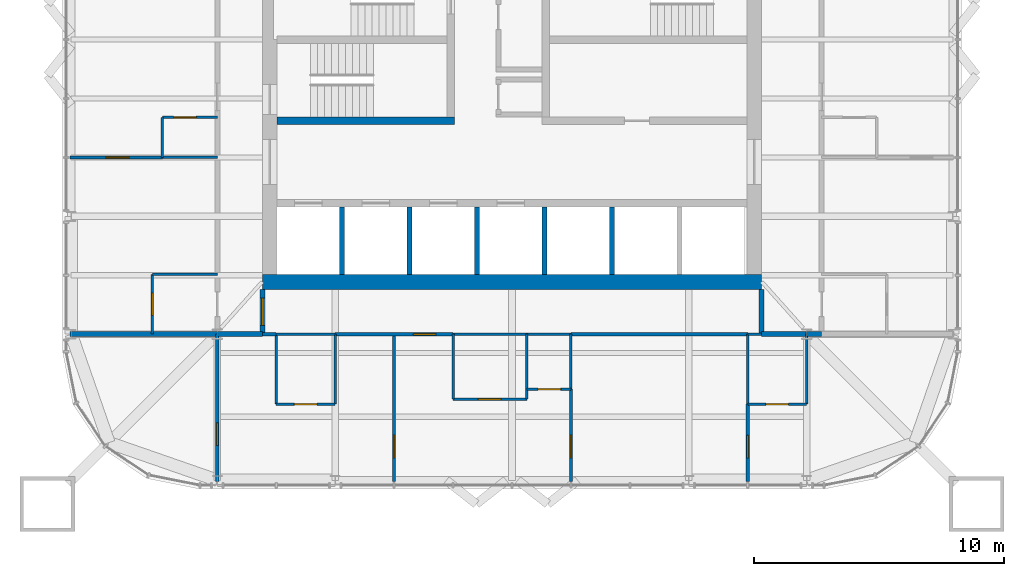
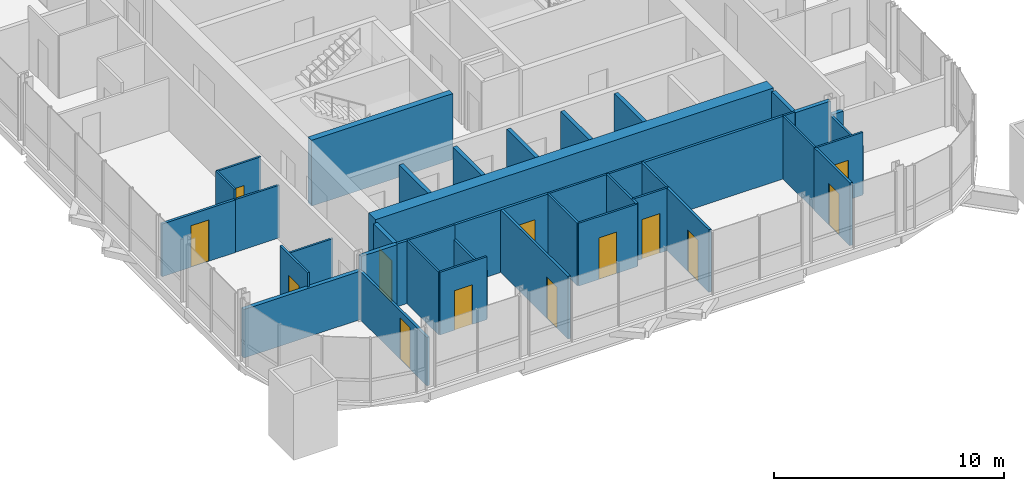
# One storey, part 13 of 17: 40 walls, 13 doors, 13 openings.
"""IFC4 building model written with IfcOpenShell, lengths in metres."""

from ifc_helpers import new_model, si_unit, direction, frame, frame_2d, origin, place, context, subcontext, project, spatial, rectangle, extrude, material, layer, layer_set, type_object, element, fill, save


model = new_model("IFC4")

# Units and contexts
model_context = context("Model", 3, precision=1e-05, world=origin(), true_north=direction((0.0, 1.0)))
body_context = subcontext(model_context, "Body", "Model", "MODEL_VIEW")
ifc_project = project(units=[si_unit("LENGTHUNIT", "METRE"), si_unit("AREAUNIT", "SQUARE_METRE"), si_unit("VOLUMEUNIT", "CUBIC_METRE"), si_unit("PLANEANGLEUNIT", "RADIAN"), si_unit("MASSUNIT", "GRAM", prefix="KILO")], contexts=[model_context])

# Site, building, storey
site_placement = place(None, origin())
site = spatial("IfcSite", under=ifc_project, at=site_placement, CompositionType="ELEMENT")
building_placement = place(site_placement, origin())
building = spatial("IfcBuilding", under=site, at=building_placement, Name="Turquesa Mirador Hotel Tower", CompositionType="ELEMENT")
storey_placement = place(building_placement, frame((0.0, 0.0, 251.199951171875)))
storey = spatial("IfcBuildingStorey", under=building, at=storey_placement, Name="L68", CompositionType="ELEMENT", Elevation=251.199951171875)

# Walls
ifc_material_1 = material(Name="Gypsum board on steel studs", Category="steel")
ifc_layer_1 = layer(ifc_material_1, 0.10009765625)
ifc_layer_set_1 = layer_set([ifc_layer_1], Name="BATHROOM WALL 100")
wall_type_1 = type_object("IfcWallType", Name="BATHROOM WALL 100", PredefinedType="PARTITIONING", material=ifc_layer_set_1)
wall_1_placement = place(storey_placement, frame((45.56005859375, 33.199951171875, 0.0), z_axis=(0.0, 0.0, 1.0), x_axis=(1.0, 0.0, 0.0)))
element("IfcWall", 1, at=wall_1_placement, inside=storey, type_object=wall_type_1, Name="Partition L68 001", PredefinedType="PARTITIONING", context=body_context, shape_type="SweptSolid", body=[
    extrude(rectangle(XDim=2.35986328125, YDim=0.10009765625, at=frame_2d((1.179931640625, 0.0))), origin(), (0.0, 0.0, 1.0), 3.330078125),
])
wall_2_placement = place(storey_placement, frame((52.639892578125, 33.199951171875, 0.0), z_axis=(0.0, 0.0, 1.0), x_axis=(1.0, 0.0, 0.0)))
element("IfcWall", 2, at=wall_2_placement, inside=storey, type_object=wall_type_1, Name="Partition L68 002", PredefinedType="PARTITIONING", context=body_context, shape_type="SweptSolid", body=[
    extrude(rectangle(XDim=4.72021484375, YDim=0.10009765625, at=frame_2d((2.360107421875, 0.0))), origin(), (0.0, 0.0, 1.0), 3.330078125),
])
wall_3_placement = place(storey_placement, frame((64.43994140625, 33.199951171875, 0.0), z_axis=(0.0, 0.0, 1.0), x_axis=(1.0, 0.0, 0.0)))
element("IfcWall", 3, at=wall_3_placement, inside=storey, type_object=wall_type_1, Name="Partition L68 003", PredefinedType="PARTITIONING", context=body_context, shape_type="SweptSolid", body=[
    extrude(rectangle(XDim=0.56005859375, YDim=0.10009765625, at=frame_2d((0.280029296875, 0.0))), origin(), (0.0, 0.0, 1.0), 3.330078125),
])

# Wall, opening, door
wall_4_placement = place(storey_placement, frame((55.60009765625, 31.0, 0.0), z_axis=(0.0, 0.0, 1.0), x_axis=(1.0, 0.0, 0.0)))
wall_4 = element("IfcWall", 4, at=wall_4_placement, inside=storey, type_object=wall_type_1, Name="Partition L68 011", PredefinedType="PARTITIONING", context=body_context, shape_type="SweptSolid", body=[
    extrude(rectangle(XDim=1.760009765625, YDim=0.10009765625, at=frame_2d((0.8798828125, 0.0))), origin(), (0.0, 0.0, 1.0), 3.330078125),
])
opening_1_placement = place(wall_4_placement, frame((0.449951171875, 0.0, 0.0)))
opening_1 = element("IfcOpeningElement", 5, at=opening_1_placement, cuts=wall_4, Name="Opening D06", PredefinedType="OPENING", context=body_context, shape_type="SweptSolid", body=[
    extrude(rectangle(XDim=0.89990234375, YDim=2.10009765625, at=frame_2d((0.449951171875, 1.050048828125))), frame((0.0, 0.06005859375, 0.0), z_axis=(0.0, -1.0, 0.0), x_axis=(1.0, 0.0, 0.0)), (0.0, 0.0, 1.0), 0.1201171875),
])
ifc_material_2 = material(Name="Laminate door", Category="wood")
door_type_1 = type_object("IfcDoorType", Name="DOOR 900X2100 WC", OperationType="SINGLE_SWING_LEFT", PredefinedType="DOOR", material=ifc_material_2)
door_1_placement = place(opening_1_placement, origin())
door_1 = element("IfcDoor", 6, at=door_1_placement, inside=storey, type_object=door_type_1, Name="Door 6802W", OperationType="SINGLE_SWING_LEFT", OverallHeight=2.10009765625, OverallWidth=0.89990234375, PredefinedType="DOOR", context=body_context, shape_type="SweptSolid", body=[
    extrude(rectangle(XDim=0.89990234375, YDim=2.10009765625, at=frame_2d((0.449951171875, 1.050048828125))), frame((0.0, 0.02490234375, 0.0), z_axis=(0.0, -1.0, 0.0), x_axis=(1.0, 0.0, 0.0)), (0.0, 0.0, 1.0), 0.050048828125),
])
fill(opening_1, door_1)

wall_5_placement = place(storey_placement, frame((52.639892578125, 30.60009765625, 0.0), z_axis=(0.0, 0.0, 1.0), x_axis=(1.0, 0.0, 0.0)))
wall_5 = element("IfcWall", 7, at=wall_5_placement, inside=storey, type_object=wall_type_1, Name="Partition L68 012", PredefinedType="PARTITIONING", context=body_context, shape_type="SweptSolid", body=[
    extrude(rectangle(XDim=2.960205078125, YDim=0.10009765625, at=frame_2d((1.47998046875, 0.0))), origin(), (0.0, 0.0, 1.0), 3.330078125),
])
opening_2_placement = place(wall_5_placement, frame((1.010009765625, 0.0, 0.0)))
opening_2 = element("IfcOpeningElement", 8, at=opening_2_placement, cuts=wall_5, Name="Opening D17", PredefinedType="OPENING", context=body_context, shape_type="SweptSolid", body=[
    extrude(rectangle(XDim=0.89990234375, YDim=2.199951171875, at=frame_2d((0.449951171875, 1.10009765625))), frame((0.0, 0.06005859375, 0.0), z_axis=(0.0, -1.0, 0.0), x_axis=(1.0, 0.0, 0.0)), (0.0, 0.0, 1.0), 0.1201171875),
])
ifc_material_3 = material(Name="Timber veneered door", Category="wood")
door_type_2 = type_object("IfcDoorType", Name="DOOR 900X2200 SUITE INTERNAL", OperationType="SINGLE_SWING_LEFT", PredefinedType="DOOR", material=ifc_material_3)
door_2_placement = place(opening_2_placement, origin())
door_2 = element("IfcDoor", 9, at=door_2_placement, inside=storey, type_object=door_type_2, Name="Door 6802K", OperationType="SINGLE_SWING_LEFT", OverallHeight=2.199951171875, OverallWidth=0.89990234375, PredefinedType="DOOR", context=body_context, shape_type="SweptSolid", body=[
    extrude(rectangle(XDim=0.89990234375, YDim=2.199951171875, at=frame_2d((0.449951171875, 1.10009765625))), frame((0.0, 0.02490234375, 0.0), z_axis=(0.0, -1.0, 0.0), x_axis=(1.0, 0.0, 0.0)), (0.0, 0.0, 1.0), 0.050048828125),
])
fill(opening_2, door_2)

wall_6_placement = place(storey_placement, frame((45.56005859375, 30.39990234375, 0.0), z_axis=(0.0, 0.0, 1.0), x_axis=(1.0, 0.0, 0.0)))
wall_6 = element("IfcWall", 10, at=wall_6_placement, inside=storey, type_object=wall_type_1, Name="Partition L68 013", PredefinedType="PARTITIONING", context=body_context, shape_type="SweptSolid", body=[
    extrude(rectangle(XDim=2.35986328125, YDim=0.10009765625, at=frame_2d((1.179931640625, 0.0))), origin(), (0.0, 0.0, 1.0), 3.330078125),
])
opening_3_placement = place(wall_6_placement, frame((0.72998046875, 0.0, 0.0)))
opening_3 = element("IfcOpeningElement", 11, at=opening_3_placement, cuts=wall_6, Name="Opening D02", PredefinedType="OPENING", context=body_context, shape_type="SweptSolid", body=[
    extrude(rectangle(XDim=0.89990234375, YDim=2.10009765625, at=frame_2d((0.449951171875, 1.050048828125))), frame((0.0, 0.06005859375, 0.0), z_axis=(0.0, -1.0, 0.0), x_axis=(1.0, 0.0, 0.0)), (0.0, 0.0, 1.0), 0.1201171875),
])
ifc_material_4 = material(Name="Timber veneered door", Category="wood")
door_type_3 = type_object("IfcDoorType", Name="DOOR 900X2100 EN-SUITE", OperationType="SINGLE_SWING_RIGHT", PredefinedType="DOOR", material=ifc_material_4)
door_3_placement = place(opening_3_placement, origin())
door_3 = element("IfcDoor", 12, at=door_3_placement, inside=storey, type_object=door_type_3, Name="Door 6802B", OperationType="SINGLE_SWING_RIGHT", OverallHeight=2.10009765625, OverallWidth=0.89990234375, PredefinedType="DOOR", context=body_context, shape_type="SweptSolid", body=[
    extrude(rectangle(XDim=0.89990234375, YDim=2.10009765625, at=frame_2d((0.449951171875, 1.050048828125))), frame((0.0, 0.02490234375, 0.0), z_axis=(0.0, -1.0, 0.0), x_axis=(1.0, 0.0, 0.0)), (0.0, 0.0, 1.0), 0.050048828125),
])
fill(opening_3, door_3)

wall_7_placement = place(storey_placement, frame((64.43994140625, 30.39990234375, 0.0), z_axis=(0.0, 0.0, 1.0), x_axis=(1.0, 0.0, 0.0)))
wall_7 = element("IfcWall", 13, at=wall_7_placement, inside=storey, type_object=wall_type_1, Name="Partition L68 014", PredefinedType="PARTITIONING", context=body_context, shape_type="SweptSolid", body=[
    extrude(rectangle(XDim=2.360107421875, YDim=0.10009765625, at=frame_2d((1.18017578125, 0.0))), origin(), (0.0, 0.0, 1.0), 3.330078125),
])
opening_4_placement = place(wall_7_placement, frame((0.72998046875, 0.0, 0.0)))
opening_4 = element("IfcOpeningElement", 14, at=opening_4_placement, cuts=wall_7, Name="Opening D02", PredefinedType="OPENING", context=body_context, shape_type="SweptSolid", body=[
    extrude(rectangle(XDim=0.89990234375, YDim=2.10009765625, at=frame_2d((0.449951171875, 1.050048828125))), frame((0.0, 0.06005859375, 0.0), z_axis=(0.0, -1.0, 0.0), x_axis=(1.0, 0.0, 0.0)), (0.0, 0.0, 1.0), 0.1201171875),
])
door_4_placement = place(opening_4_placement, origin())
door_4 = element("IfcDoor", 15, at=door_4_placement, inside=storey, type_object=door_type_3, Name="Door 6802E", OperationType="SINGLE_SWING_RIGHT", OverallHeight=2.10009765625, OverallWidth=0.89990234375, PredefinedType="DOOR", context=body_context, shape_type="SweptSolid", body=[
    extrude(rectangle(XDim=0.89990234375, YDim=2.10009765625, at=frame_2d((0.449951171875, 1.050048828125))), frame((0.0, 0.02490234375, 0.0), z_axis=(0.0, -1.0, 0.0), x_axis=(1.0, 0.0, 0.0)), (0.0, 0.0, 1.0), 0.050048828125),
])
fill(opening_4, door_4)

wall_8_placement = place(storey_placement, frame((41.0, 41.8798828125, 0.0), z_axis=(0.0, 0.0, 1.0), x_axis=(1.0, 0.0, 0.0)))
wall_8 = element("IfcWall", 16, at=wall_8_placement, inside=storey, type_object=wall_type_1, Name="Partition L68 015", PredefinedType="PARTITIONING", context=body_context, shape_type="SweptSolid", body=[
    extrude(rectangle(XDim=2.199951171875, YDim=0.10009765625, at=frame_2d((1.10009765625, 0.0))), origin(), (0.0, 0.0, 1.0), 3.330078125),
])
opening_5_placement = place(wall_8_placement, frame((0.449951171875, 0.0, 0.0)))
opening_5 = element("IfcOpeningElement", 17, at=opening_5_placement, cuts=wall_8, Name="Opening D06", PredefinedType="OPENING", context=body_context, shape_type="SweptSolid", body=[
    extrude(rectangle(XDim=0.89990234375, YDim=2.10009765625, at=frame_2d((0.449951171875, 1.050048828125))), frame((0.0, 0.06005859375, 0.0), z_axis=(0.0, -1.0, 0.0), x_axis=(1.0, 0.0, 0.0)), (0.0, 0.0, 1.0), 0.1201171875),
])
door_5_placement = place(opening_5_placement, origin())
door_5 = element("IfcDoor", 18, at=door_5_placement, inside=storey, type_object=door_type_1, Name="Door 6804W", OperationType="SINGLE_SWING_LEFT", OverallHeight=2.10009765625, OverallWidth=0.89990234375, PredefinedType="DOOR", context=body_context, shape_type="SweptSolid", body=[
    extrude(rectangle(XDim=0.89990234375, YDim=2.10009765625, at=frame_2d((0.449951171875, 1.050048828125))), frame((0.0, 0.02490234375, 0.0), z_axis=(0.0, -1.0, 0.0), x_axis=(1.0, 0.0, 0.0)), (0.0, 0.0, 1.0), 0.050048828125),
])
fill(opening_5, door_5)

# Walls
wall_9_placement = place(storey_placement, frame((41.0, 40.280029296875, 0.0), z_axis=(0.0, 0.0, 1.0), x_axis=(1.0, 0.0, 0.0)))
element("IfcWall", 19, at=wall_9_placement, inside=storey, type_object=wall_type_1, Name="Partition L68 017", PredefinedType="PARTITIONING", context=body_context, shape_type="SweptSolid", body=[
    extrude(rectangle(XDim=2.199951171875, YDim=0.10009765625, at=frame_2d((1.10009765625, 0.0))), origin(), (0.0, 0.0, 1.0), 2.796630859375),
])
wall_10_placement = place(storey_placement, frame((40.60009765625, 35.60009765625, 0.0), z_axis=(0.0, 0.0, 1.0), x_axis=(1.0, 0.0, 0.0)))
element("IfcWall", 20, at=wall_10_placement, inside=storey, type_object=wall_type_1, Name="Partition L68 021", PredefinedType="PARTITIONING", context=body_context, shape_type="SweptSolid", body=[
    extrude(rectangle(XDim=2.599853515625, YDim=0.10009765625, at=frame_2d((1.2998046875, 0.0))), origin(), (0.0, 0.0, 1.0), 2.796630859375),
])
wall_11_placement = place(storey_placement, frame((41.0, 40.280029296875, 0.0), z_axis=(0.0, 0.0, 1.0), x_axis=(0.0, 1.0, 0.0)))
element("IfcWall", 21, at=wall_11_placement, inside=storey, type_object=wall_type_1, Name="Partition L68 048", PredefinedType="PARTITIONING", context=body_context, shape_type="SweptSolid", body=[
    extrude(rectangle(XDim=1.599853515625, YDim=0.10009765625, at=frame_2d((0.7998046875, 0.0))), origin(), (0.0, 0.0, 1.0), 3.330078125),
])

# Wall, opening, door
wall_12_placement = place(storey_placement, frame((40.60009765625, 33.199951171875, 0.0), z_axis=(0.0, 0.0, 1.0), x_axis=(0.0, 1.0, 0.0)))
wall_12 = element("IfcWall", 22, at=wall_12_placement, inside=storey, type_object=wall_type_1, Name="Partition L68 050", PredefinedType="PARTITIONING", context=body_context, shape_type="SweptSolid", body=[
    extrude(rectangle(XDim=2.400146484375, YDim=0.10009765625, at=frame_2d((1.2001953125, 0.0))), origin(), (0.0, 0.0, 1.0), 3.330078125),
])
opening_6_placement = place(wall_12_placement, frame((0.75, 0.0, 0.0)))
opening_6 = element("IfcOpeningElement", 23, at=opening_6_placement, cuts=wall_12, Name="Opening D17", PredefinedType="OPENING", context=body_context, shape_type="SweptSolid", body=[
    extrude(rectangle(XDim=0.89990234375, YDim=2.199951171875, at=frame_2d((0.449951171875, 1.10009765625))), frame((0.0, 0.06005859375, 0.0), z_axis=(0.0, -1.0, 0.0), x_axis=(1.0, 0.0, 0.0)), (0.0, 0.0, 1.0), 0.1201171875),
])
door_6_placement = place(opening_6_placement, origin())
door_6 = element("IfcDoor", 24, at=door_6_placement, inside=storey, type_object=door_type_2, Name="Door 6804P", OperationType="SINGLE_SWING_LEFT", OverallHeight=2.199951171875, OverallWidth=0.89990234375, PredefinedType="DOOR", context=body_context, shape_type="SweptSolid", body=[
    extrude(rectangle(XDim=0.89990234375, YDim=2.199951171875, at=frame_2d((0.449951171875, 1.10009765625))), frame((0.0, 0.02490234375, 0.0), z_axis=(0.0, -1.0, 0.0), x_axis=(1.0, 0.0, 0.0)), (0.0, 0.0, 1.0), 0.050048828125),
])
fill(opening_6, door_6)

# Walls
wall_13_placement = place(storey_placement, frame((52.639892578125, 30.60009765625, 0.0), z_axis=(0.0, 0.0, 1.0), x_axis=(0.0, 1.0, 0.0)))
element("IfcWall", 25, at=wall_13_placement, inside=storey, type_object=wall_type_1, Name="Partition L68 052", PredefinedType="PARTITIONING", context=body_context, shape_type="SweptSolid", body=[
    extrude(rectangle(XDim=2.599853515625, YDim=0.10009765625, at=frame_2d((1.2998046875, 0.0))), origin(), (0.0, 0.0, 1.0), 3.330078125),
])
wall_14_placement = place(storey_placement, frame((47.919921875, 30.39990234375, 0.0), z_axis=(0.0, 0.0, 1.0), x_axis=(0.0, 1.0, 0.0)))
element("IfcWall", 26, at=wall_14_placement, inside=storey, type_object=wall_type_1, Name="Partition L68 056", PredefinedType="PARTITIONING", context=body_context, shape_type="SweptSolid", body=[
    extrude(rectangle(XDim=2.800048828125, YDim=0.10009765625, at=frame_2d((1.39990234375, 0.0))), origin(), (0.0, 0.0, 1.0), 2.5732421875),
])
wall_15_placement = place(storey_placement, frame((45.56005859375, 30.39990234375, 0.0), z_axis=(0.0, 0.0, 1.0), x_axis=(0.0, 1.0, 0.0)))
element("IfcWall", 27, at=wall_15_placement, inside=storey, type_object=wall_type_1, Name="Partition L68 058", PredefinedType="PARTITIONING", context=body_context, shape_type="SweptSolid", body=[
    extrude(rectangle(XDim=2.800048828125, YDim=0.10009765625, at=frame_2d((1.39990234375, 0.0))), origin(), (0.0, 0.0, 1.0), 3.330078125),
])
wall_16_placement = place(storey_placement, frame((55.60009765625, 30.60009765625, 0.0), z_axis=(0.0, 0.0, 1.0), x_axis=(0.0, 1.0, 0.0)))
element("IfcWall", 28, at=wall_16_placement, inside=storey, type_object=wall_type_1, Name="Partition L68 060", PredefinedType="PARTITIONING", context=body_context, shape_type="SweptSolid", body=[
    extrude(rectangle(XDim=2.599853515625, YDim=0.10009765625, at=frame_2d((1.2998046875, 0.0))), origin(), (0.0, 0.0, 1.0), 3.330078125),
])
wall_17_placement = place(storey_placement, frame((66.800048828125, 30.39990234375, 0.0), z_axis=(0.0, 0.0, 1.0), x_axis=(0.0, 1.0, 0.0)))
element("IfcWall", 29, at=wall_17_placement, inside=storey, type_object=wall_type_1, Name="Partition L68 064", PredefinedType="PARTITIONING", context=body_context, shape_type="SweptSolid", body=[
    extrude(rectangle(XDim=2.800048828125, YDim=0.10009765625, at=frame_2d((1.39990234375, 0.0))), origin(), (0.0, 0.0, 1.0), 2.5732421875),
])
wall_18_placement = place(storey_placement, frame((57.360107421875, 31.0, 0.0), z_axis=(0.0, 0.0, 1.0), x_axis=(0.0, 1.0, 0.0)))
element("IfcWall", 30, at=wall_18_placement, inside=storey, type_object=wall_type_1, Name="Partition L68 071", PredefinedType="PARTITIONING", context=body_context, shape_type="SweptSolid", body=[
    extrude(rectangle(XDim=2.199951171875, YDim=0.10009765625, at=frame_2d((1.10009765625, 0.0))), origin(), (0.0, 0.0, 1.0), 3.330078125),
])
wall_19_placement = place(storey_placement, frame((64.43994140625, 30.39990234375, 0.0), z_axis=(0.0, 0.0, 1.0), x_axis=(0.0, 1.0, 0.0)))
element("IfcWall", 31, at=wall_19_placement, inside=storey, type_object=wall_type_1, Name="Partition L68 075", PredefinedType="PARTITIONING", context=body_context, shape_type="SweptSolid", body=[
    extrude(rectangle(XDim=2.800048828125, YDim=0.10009765625, at=frame_2d((1.39990234375, 0.0))), origin(), (0.0, 0.0, 1.0), 3.330078125),
])
ifc_material_5 = material(Name="Concrete C50/60", Category="concrete")
ifc_layer_2 = layer(ifc_material_5, 0.300048828125)
ifc_layer_set_2 = layer_set([ifc_layer_2], Name="CORE INNER WALL 300")
wall_type_2 = type_object("IfcWallType", Name="CORE INNER WALL 300", PredefinedType="SHEAR", material=ifc_layer_set_2)
wall_20_placement = place(storey_placement, frame((45.60009765625, 41.75, 0.0), z_axis=(0.0, 0.0, 1.0), x_axis=(1.0, 0.0, 0.0)))
element("IfcWall", 32, at=wall_20_placement, inside=storey, type_object=wall_type_2, Name="Core wall MS-W", PredefinedType="SHEAR", context=body_context, shape_type="SweptSolid", body=[
    extrude(rectangle(XDim=7.099853515625, YDim=0.300048828125, at=frame_2d((3.5498046875, 0.0))), origin(), (0.0, 0.0, 1.0), 3.5),
])
ifc_material_6 = material(Name="Concrete C50/60", Category="concrete")
ifc_layer_3 = layer(ifc_material_6, 0.60009765625)
ifc_layer_set_3 = layer_set([ifc_layer_3], Name="CORE WALL 600")
wall_type_3 = type_object("IfcWallType", Name="CORE WALL 600", PredefinedType="SHEAR", material=ifc_layer_set_3)
wall_21_placement = place(storey_placement, frame((45.0, 35.300048828125, 0.0), z_axis=(0.0, 0.0, 1.0), x_axis=(1.0, 0.0, 0.0)))
element("IfcWall", 33, at=wall_21_placement, inside=storey, type_object=wall_type_3, Name="Core wall S", PredefinedType="SHEAR", context=body_context, shape_type="SweptSolid", body=[
    extrude(rectangle(XDim=20.0, YDim=0.60009765625, at=frame_2d((10.0, 0.0))), origin(), (0.0, 0.0, 1.0), 3.5),
])
ifc_material_7 = material(Name="Fire-rated gypsum board on steel studs", Category="steel")
ifc_layer_4 = layer(ifc_material_7, 0.199951171875)
ifc_layer_set_4 = layer_set([ifc_layer_4], Name="CORRIDOR WALL 200")
wall_type_4 = type_object("IfcWallType", Name="CORRIDOR WALL 200", PredefinedType="PARTITIONING", material=ifc_layer_set_4)
wall_22_placement = place(storey_placement, frame((43.199951171875, 33.199951171875, 0.0), z_axis=(0.0, 0.0, 1.0), x_axis=(1.0, 0.0, 0.0)))
element("IfcWall", 34, at=wall_22_placement, inside=storey, type_object=wall_type_4, Name="Partition L68 004", PredefinedType="PARTITIONING", context=body_context, shape_type="SweptSolid", body=[
    extrude(rectangle(XDim=1.800048828125, YDim=0.199951171875, at=frame_2d((0.89990234375, 0.0))), origin(), (0.0, 0.0, 1.0), 3.330078125),
])
wall_23_placement = place(storey_placement, frame((65.0, 33.199951171875, 0.0), z_axis=(0.0, 0.0, 1.0), x_axis=(1.0, 0.0, 0.0)))
element("IfcWall", 35, at=wall_23_placement, inside=storey, type_object=wall_type_4, Name="Partition L68 005", PredefinedType="PARTITIONING", context=body_context, shape_type="SweptSolid", body=[
    extrude(rectangle(XDim=1.780029296875, YDim=0.199951171875, at=frame_2d((0.89013671875, 0.0))), origin(), (0.0, 0.0, 1.0), 3.330078125),
])

# Wall, opening, door
wall_24_placement = place(storey_placement, frame((45.0, 33.199951171875, 0.0), z_axis=(0.0, 0.0, 1.0), x_axis=(0.0, 1.0, 0.0)))
wall_24 = element("IfcWall", 36, at=wall_24_placement, inside=storey, type_object=wall_type_4, Name="Partition L68 043", PredefinedType="PARTITIONING", context=body_context, shape_type="SweptSolid", body=[
    extrude(rectangle(XDim=1.800048828125, YDim=0.199951171875, at=frame_2d((0.89990234375, 0.0))), origin(), (0.0, 0.0, 1.0), 3.330078125),
])
opening_7_placement = place(wall_24_placement, frame((0.35009765625, 0.0, 0.0)))
opening_7 = element("IfcOpeningElement", 37, at=opening_7_placement, cuts=wall_24, Name="Opening D15", PredefinedType="OPENING", context=body_context, shape_type="SweptSolid", body=[
    extrude(rectangle(XDim=1.10009765625, YDim=2.199951171875, at=frame_2d((0.550048828125, 1.10009765625))), frame((0.0, 0.10986328125, 0.0), z_axis=(0.0, -1.0, 0.0), x_axis=(1.0, 0.0, 0.0)), (0.0, 0.0, 1.0), 0.219970703125),
])
ifc_material_8 = material(Name="Timber veneered fire door", Category="wood")
door_type_4 = type_object("IfcDoorType", Name="DOOR 1100X2200 SUITE ENTRY", OperationType="SINGLE_SWING_LEFT", PredefinedType="DOOR", material=ifc_material_8)
door_7_placement = place(opening_7_placement, origin())
door_7 = element("IfcDoor", 38, at=door_7_placement, inside=storey, type_object=door_type_4, Name="Door 6802G", OperationType="SINGLE_SWING_LEFT", OverallHeight=2.199951171875, OverallWidth=1.10009765625, PredefinedType="DOOR", context=body_context, shape_type="SweptSolid", body=[
    extrude(rectangle(XDim=1.10009765625, YDim=2.199951171875, at=frame_2d((0.550048828125, 1.10009765625))), frame((0.0, 0.02490234375, 0.0), z_axis=(0.0, -1.0, 0.0), x_axis=(1.0, 0.0, 0.0)), (0.0, 0.0, 1.0), 0.050048828125),
])
fill(opening_7, door_7)

# Walls
wall_25_placement = place(storey_placement, frame((65.0, 33.199951171875, 0.0), z_axis=(0.0, 0.0, 1.0), x_axis=(0.0, 1.0, 0.0)))
element("IfcWall", 39, at=wall_25_placement, inside=storey, type_object=wall_type_4, Name="Partition L68 062", PredefinedType="PARTITIONING", context=body_context, shape_type="SweptSolid", body=[
    extrude(rectangle(XDim=1.800048828125, YDim=0.199951171875, at=frame_2d((0.89990234375, 0.0))), origin(), (0.0, 0.0, 1.0), 3.330078125),
])
wall_26_placement = place(storey_placement, frame((66.780029296875, 33.199951171875, 0.0), z_axis=(0.0, 0.0, 1.0), x_axis=(1.0, 0.0, 0.0)))
element("IfcWall", 40, at=wall_26_placement, inside=storey, type_object=wall_type_4, Name="Partition L68 079", PredefinedType="PARTITIONING", context=body_context, shape_type="SweptSolid", body=[
    extrude(rectangle(XDim=0.619873046875, YDim=0.199951171875, at=frame_2d((0.31005859375, 0.0))), origin(), (0.0, 0.0, 1.0), 2.5732421875),
])
ifc_material_9 = material(Name="Fire-rated gypsum shaft wall on steel studs", Category="steel")
ifc_layer_5 = layer(ifc_material_9, 0.199951171875)
ifc_layer_set_5 = layer_set([ifc_layer_5], Name="LIFT SHAFT DIVIDER 200")
wall_type_5 = type_object("IfcWallType", Name="LIFT SHAFT DIVIDER 200", PredefinedType="PARTITIONING", material=ifc_layer_set_5)
for number, where, z_axis, x_axis, name in (
    (41, (48.199951171875, 35.60009765625, 0.0), (0.0, 0.0, 1.0), (0.0, 1.0, 0.0), "Lift shaft divider"),
    (42, (50.89990234375, 35.60009765625, 0.0), (0.0, 0.0, 1.0), (0.0, 1.0, 0.0), "Lift shaft divider"),
    (43, (53.60009765625, 35.60009765625, 0.0), (0.0, 0.0, 1.0), (0.0, 1.0, 0.0), "Lift shaft divider"),
    (44, (56.300048828125, 35.60009765625, 0.0), (0.0, 0.0, 1.0), (0.0, 1.0, 0.0), "Lift shaft divider"),
    (45, (59.0, 35.60009765625, 0.0), (0.0, 0.0, 1.0), (0.0, 1.0, 0.0), "Lift shaft divider"),
):
    element("IfcWall", number, at=place(storey_placement, frame(where, z_axis=z_axis, x_axis=x_axis)), inside=storey, type_object=wall_type_5, Name=name, PredefinedType="PARTITIONING", context=body_context, shape_type="SweptSolid", body=[
        extrude(rectangle(XDim=2.699951171875, YDim=0.199951171875, at=frame_2d((1.35009765625, 0.0))), origin(), (0.0, 0.0, 1.0), 3.330078125),
    ])
ifc_material_10 = material(Name="Fire-rated gypsum board on steel studs", Category="steel")
ifc_layer_6 = layer(ifc_material_10, 0.199951171875)
ifc_layer_set_6 = layer_set([ifc_layer_6], Name="PARTY WALL 200")
wall_type_6 = type_object("IfcWallType", Name="PARTY WALL 200", PredefinedType="PARTITIONING", material=ifc_layer_set_6)
wall_27_placement = place(storey_placement, frame((37.300048828125, 33.199951171875, 0.0), z_axis=(0.0, 0.0, 1.0), x_axis=(1.0, 0.0, 0.0)))
element("IfcWall", 46, at=wall_27_placement, inside=storey, type_object=wall_type_6, Name="Partition L68 006", PredefinedType="PARTITIONING", context=body_context, shape_type="SweptSolid", body=[
    extrude(rectangle(XDim=5.89990234375, YDim=0.199951171875, at=frame_2d((2.949951171875, 0.0))), origin(), (0.0, 0.0, 1.0), 2.5732421875),
])
ifc_material_11 = material(Name="Acoustic gypsum board on steel studs", Category="steel")
ifc_layer_7 = layer(ifc_material_11, 0.125)
ifc_layer_set_7 = layer_set([ifc_layer_7], Name="SUITE PARTITION 125")
wall_type_7 = type_object("IfcWallType", Name="SUITE PARTITION 125", PredefinedType="PARTITIONING", material=ifc_layer_set_7)
wall_28_placement = place(storey_placement, frame((45.0, 33.199951171875, 0.0), z_axis=(0.0, 0.0, 1.0), x_axis=(1.0, 0.0, 0.0)))
element("IfcWall", 47, at=wall_28_placement, inside=storey, type_object=wall_type_7, Name="Partition L68 008", PredefinedType="PARTITIONING", context=body_context, shape_type="SweptSolid", body=[
    extrude(rectangle(XDim=0.56005859375, YDim=0.125, at=frame_2d((0.280029296875, 0.0))), origin(), (0.0, 0.0, 1.0), 3.330078125),
])

# Wall, opening, door
wall_29_placement = place(storey_placement, frame((47.919921875, 33.199951171875, 0.0), z_axis=(0.0, 0.0, 1.0), x_axis=(1.0, 0.0, 0.0)))
wall_29 = element("IfcWall", 48, at=wall_29_placement, inside=storey, type_object=wall_type_7, Name="Partition L68 009", PredefinedType="PARTITIONING", context=body_context, shape_type="SweptSolid", body=[
    extrude(rectangle(XDim=4.719970703125, YDim=0.125, at=frame_2d((2.35986328125, 0.0))), origin(), (0.0, 0.0, 1.0), 3.330078125),
])
opening_8_placement = place(wall_29_placement, frame((3.1298828125, 0.0, 0.0)))
opening_8 = element("IfcOpeningElement", 49, at=opening_8_placement, cuts=wall_29, Name="Opening D17", PredefinedType="OPENING", context=body_context, shape_type="SweptSolid", body=[
    extrude(rectangle(XDim=0.89990234375, YDim=2.199951171875, at=frame_2d((0.449951171875, 1.10009765625))), frame((0.0, 0.072509765625, 0.0), z_axis=(0.0, -1.0, 0.0), x_axis=(1.0, 0.0, 0.0)), (0.0, 0.0, 1.0), 0.14501953125),
])
door_8_placement = place(opening_8_placement, origin())
door_8 = element("IfcDoor", 50, at=door_8_placement, inside=storey, type_object=door_type_2, Name="Door 6802", OperationType="SINGLE_SWING_LEFT", OverallHeight=2.199951171875, OverallWidth=0.89990234375, PredefinedType="DOOR", context=body_context, shape_type="SweptSolid", body=[
    extrude(rectangle(XDim=0.89990234375, YDim=2.199951171875, at=frame_2d((0.449951171875, 1.10009765625))), frame((0.0, 0.02490234375, 0.0), z_axis=(0.0, -1.0, 0.0), x_axis=(1.0, 0.0, 0.0)), (0.0, 0.0, 1.0), 0.050048828125),
])
fill(opening_8, door_8)

# Wall
wall_30_placement = place(storey_placement, frame((57.360107421875, 33.199951171875, 0.0), z_axis=(0.0, 0.0, 1.0), x_axis=(1.0, 0.0, 0.0)))
element("IfcWall", 51, at=wall_30_placement, inside=storey, type_object=wall_type_7, Name="Partition L68 010", PredefinedType="PARTITIONING", context=body_context, shape_type="SweptSolid", body=[
    extrude(rectangle(XDim=7.079833984375, YDim=0.125, at=frame_2d((3.5400390625, 0.0))), origin(), (0.0, 0.0, 1.0), 3.330078125),
])

# Wall, opening, door
wall_31_placement = place(storey_placement, frame((37.300048828125, 40.280029296875, 0.0), z_axis=(0.0, 0.0, 1.0), x_axis=(1.0, 0.0, 0.0)))
wall_31 = element("IfcWall", 52, at=wall_31_placement, inside=storey, type_object=wall_type_7, Name="Partition L68 019", PredefinedType="PARTITIONING", context=body_context, shape_type="SweptSolid", body=[
    extrude(rectangle(XDim=3.699951171875, YDim=0.125, at=frame_2d((1.85009765625, 0.0))), origin(), (0.0, 0.0, 1.0), 2.796630859375),
])
opening_9_placement = place(wall_31_placement, frame((1.449951171875, 0.0, 0.0)))
opening_9 = element("IfcOpeningElement", 53, at=opening_9_placement, cuts=wall_31, Name="Opening D17", PredefinedType="OPENING", context=body_context, shape_type="SweptSolid", body=[
    extrude(rectangle(XDim=0.89990234375, YDim=2.199951171875, at=frame_2d((0.449951171875, 1.10009765625))), frame((0.0, 0.072509765625, 0.0), z_axis=(0.0, -1.0, 0.0), x_axis=(1.0, 0.0, 0.0)), (0.0, 0.0, 1.0), 0.14501953125),
])
door_9_placement = place(opening_9_placement, origin())
door_9 = element("IfcDoor", 54, at=door_9_placement, inside=storey, type_object=door_type_2, Name="Door 6804M", OperationType="SINGLE_SWING_LEFT", OverallHeight=2.199951171875, OverallWidth=0.89990234375, PredefinedType="DOOR", context=body_context, shape_type="SweptSolid", body=[
    extrude(rectangle(XDim=0.89990234375, YDim=2.199951171875, at=frame_2d((0.449951171875, 1.10009765625))), frame((0.0, 0.02490234375, 0.0), z_axis=(0.0, -1.0, 0.0), x_axis=(1.0, 0.0, 0.0)), (0.0, 0.0, 1.0), 0.050048828125),
])
fill(opening_9, door_9)

wall_32_placement = place(storey_placement, frame((43.199951171875, 27.300048828125, 0.0), z_axis=(0.0, 0.0, 1.0), x_axis=(0.0, 1.0, 0.0)))
wall_32 = element("IfcWall", 55, at=wall_32_placement, inside=storey, type_object=wall_type_7, Name="Partition L68 046", PredefinedType="PARTITIONING", context=body_context, shape_type="SweptSolid", body=[
    extrude(rectangle(XDim=5.89990234375, YDim=0.125, at=frame_2d((2.949951171875, 0.0))), origin(), (0.0, 0.0, 1.0), 2.5732421875),
])
opening_10_placement = place(wall_32_placement, frame((1.449951171875, 0.0, 0.0)))
opening_10 = element("IfcOpeningElement", 56, at=opening_10_placement, cuts=wall_32, Name="Opening D17", PredefinedType="OPENING", context=body_context, shape_type="SweptSolid", body=[
    extrude(rectangle(XDim=0.89990234375, YDim=2.199951171875, at=frame_2d((0.449951171875, 1.10009765625))), frame((0.0, 0.072509765625, 0.0), z_axis=(0.0, -1.0, 0.0), x_axis=(1.0, 0.0, 0.0)), (0.0, 0.0, 1.0), 0.14501953125),
])
door_10_placement = place(opening_10_placement, origin())
door_10 = element("IfcDoor", 57, at=door_10_placement, inside=storey, type_object=door_type_2, Name="Door 6802T", OperationType="SINGLE_SWING_LEFT", OverallHeight=2.199951171875, OverallWidth=0.89990234375, PredefinedType="DOOR", context=body_context, shape_type="SweptSolid", body=[
    extrude(rectangle(XDim=0.89990234375, YDim=2.199951171875, at=frame_2d((0.449951171875, 1.10009765625))), frame((0.0, 0.02490234375, 0.0), z_axis=(0.0, -1.0, 0.0), x_axis=(1.0, 0.0, 0.0)), (0.0, 0.0, 1.0), 0.050048828125),
])
fill(opening_10, door_10)

wall_33_placement = place(storey_placement, frame((50.280029296875, 27.300048828125, 0.0), z_axis=(0.0, 0.0, 1.0), x_axis=(0.0, 1.0, 0.0)))
wall_33 = element("IfcWall", 58, at=wall_33_placement, inside=storey, type_object=wall_type_7, Name="Partition L68 054", PredefinedType="PARTITIONING", context=body_context, shape_type="SweptSolid", body=[
    extrude(rectangle(XDim=5.89990234375, YDim=0.125, at=frame_2d((2.949951171875, 0.0))), origin(), (0.0, 0.0, 1.0), 3.330078125),
])
opening_11_placement = place(wall_33_placement, frame((0.949951171875, 0.0, 0.0)))
opening_11 = element("IfcOpeningElement", 59, at=opening_11_placement, cuts=wall_33, Name="Opening D17", PredefinedType="OPENING", context=body_context, shape_type="SweptSolid", body=[
    extrude(rectangle(XDim=0.89990234375, YDim=2.199951171875, at=frame_2d((0.449951171875, 1.10009765625))), frame((0.0, 0.072509765625, 0.0), z_axis=(0.0, -1.0, 0.0), x_axis=(1.0, 0.0, 0.0)), (0.0, 0.0, 1.0), 0.14501953125),
])
door_11_placement = place(opening_11_placement, origin())
door_11 = element("IfcDoor", 60, at=door_11_placement, inside=storey, type_object=door_type_2, Name="Door 6802R", OperationType="SINGLE_SWING_LEFT", OverallHeight=2.199951171875, OverallWidth=0.89990234375, PredefinedType="DOOR", context=body_context, shape_type="SweptSolid", body=[
    extrude(rectangle(XDim=0.89990234375, YDim=2.199951171875, at=frame_2d((0.449951171875, 1.10009765625))), frame((0.0, 0.02490234375, 0.0), z_axis=(0.0, -1.0, 0.0), x_axis=(1.0, 0.0, 0.0)), (0.0, 0.0, 1.0), 0.050048828125),
])
fill(opening_11, door_11)

wall_34_placement = place(storey_placement, frame((57.360107421875, 27.300048828125, 0.0), z_axis=(0.0, 0.0, 1.0), x_axis=(0.0, 1.0, 0.0)))
wall_34 = element("IfcWall", 61, at=wall_34_placement, inside=storey, type_object=wall_type_7, Name="Partition L68 073", PredefinedType="PARTITIONING", context=body_context, shape_type="SweptSolid", body=[
    extrude(rectangle(XDim=3.699951171875, YDim=0.125, at=frame_2d((1.85009765625, 0.0))), origin(), (0.0, 0.0, 1.0), 3.330078125),
])
opening_12_placement = place(wall_34_placement, frame((0.949951171875, 0.0, 0.0)))
opening_12 = element("IfcOpeningElement", 62, at=opening_12_placement, cuts=wall_34, Name="Opening D17", PredefinedType="OPENING", context=body_context, shape_type="SweptSolid", body=[
    extrude(rectangle(XDim=0.89990234375, YDim=2.199951171875, at=frame_2d((0.449951171875, 1.10009765625))), frame((0.0, 0.072509765625, 0.0), z_axis=(0.0, -1.0, 0.0), x_axis=(1.0, 0.0, 0.0)), (0.0, 0.0, 1.0), 0.14501953125),
])
door_12_placement = place(opening_12_placement, origin())
door_12 = element("IfcDoor", 63, at=door_12_placement, inside=storey, type_object=door_type_2, Name="Door 6802L", OperationType="SINGLE_SWING_LEFT", OverallHeight=2.199951171875, OverallWidth=0.89990234375, PredefinedType="DOOR", context=body_context, shape_type="SweptSolid", body=[
    extrude(rectangle(XDim=0.89990234375, YDim=2.199951171875, at=frame_2d((0.449951171875, 1.10009765625))), frame((0.0, 0.02490234375, 0.0), z_axis=(0.0, -1.0, 0.0), x_axis=(1.0, 0.0, 0.0)), (0.0, 0.0, 1.0), 0.050048828125),
])
fill(opening_12, door_12)

wall_35_placement = place(storey_placement, frame((64.43994140625, 27.300048828125, 0.0), z_axis=(0.0, 0.0, 1.0), x_axis=(0.0, 1.0, 0.0)))
wall_35 = element("IfcWall", 64, at=wall_35_placement, inside=storey, type_object=wall_type_7, Name="Partition L68 077", PredefinedType="PARTITIONING", context=body_context, shape_type="SweptSolid", body=[
    extrude(rectangle(XDim=3.099853515625, YDim=0.125, at=frame_2d((1.5498046875, 0.0))), origin(), (0.0, 0.0, 1.0), 3.330078125),
])
opening_13_placement = place(wall_35_placement, frame((0.949951171875, 0.0, 0.0)))
opening_13 = element("IfcOpeningElement", 65, at=opening_13_placement, cuts=wall_35, Name="Opening D17", PredefinedType="OPENING", context=body_context, shape_type="SweptSolid", body=[
    extrude(rectangle(XDim=0.89990234375, YDim=2.199951171875, at=frame_2d((0.449951171875, 1.10009765625))), frame((0.0, 0.072509765625, 0.0), z_axis=(0.0, -1.0, 0.0), x_axis=(1.0, 0.0, 0.0)), (0.0, 0.0, 1.0), 0.14501953125),
])
door_13_placement = place(opening_13_placement, origin())
door_13 = element("IfcDoor", 66, at=door_13_placement, inside=storey, type_object=door_type_2, Name="Door 6802S", OperationType="SINGLE_SWING_LEFT", OverallHeight=2.199951171875, OverallWidth=0.89990234375, PredefinedType="DOOR", context=body_context, shape_type="SweptSolid", body=[
    extrude(rectangle(XDim=0.89990234375, YDim=2.199951171875, at=frame_2d((0.449951171875, 1.10009765625))), frame((0.0, 0.02490234375, 0.0), z_axis=(0.0, -1.0, 0.0), x_axis=(1.0, 0.0, 0.0)), (0.0, 0.0, 1.0), 0.050048828125),
])
fill(opening_13, door_13)

save(model, "model.ifc")
